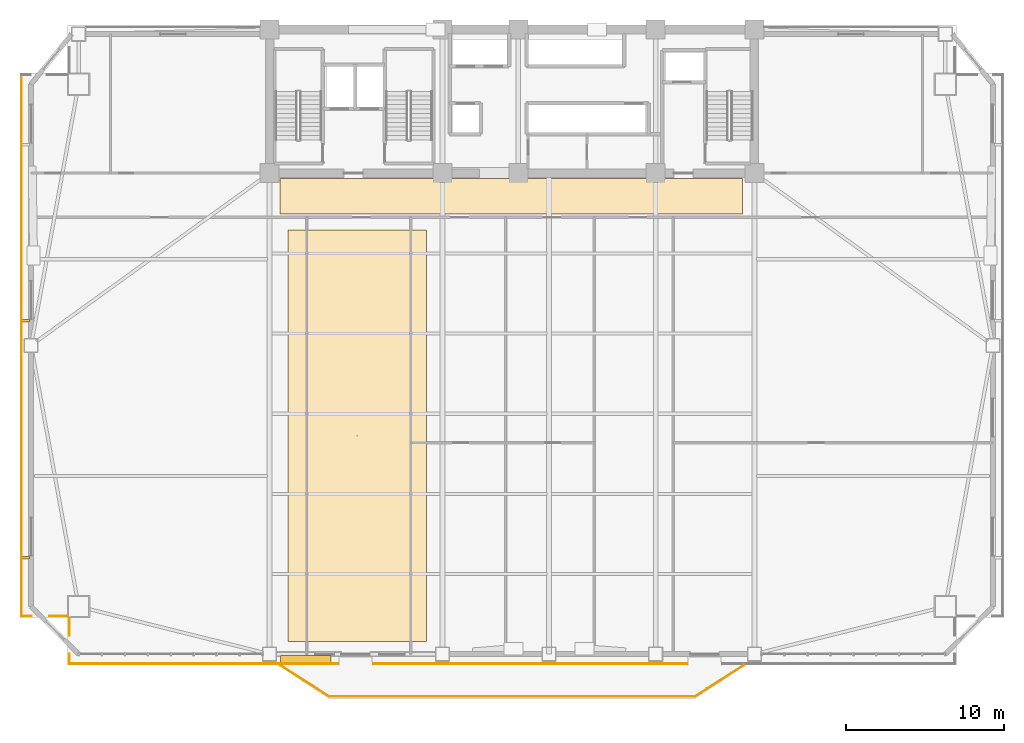
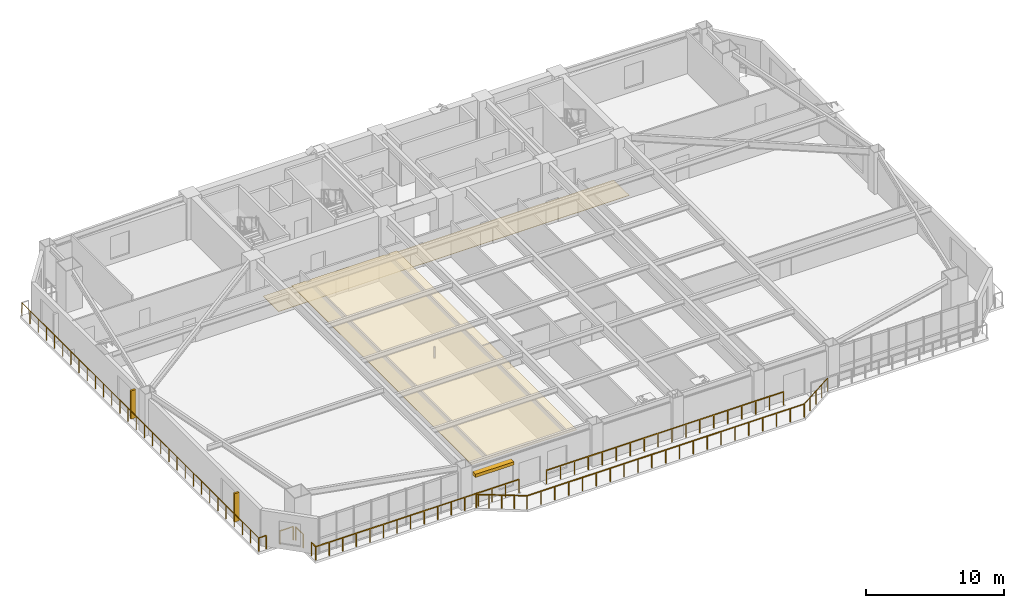
# One storey, part 12 of 15: 10 railings, 3 shading devices, 2 coverings.
"""IFC4 building model written with IfcOpenShell, lengths in metres."""

import ifcopenshell
import ifcopenshell.guid

model = None  # the IFC model being written
_history = None  # IfcOwnerHistory: only IFC2X3 demands one
_inside = {}  # id of a spatial element -> (the spatial element, [elements in it])
_under = {}  # id of a project, library or spatial element -> (it, [spatial elements below it])
_declared = {}  # id of a project -> (the project, [libraries it declares])
_typed = {}  # id of a type object -> (the type object, [elements of that type])
_made_of = {}  # id of a material, layer set ... -> (it, [elements and type objects made of it])


def new_model(schema):
    """Start an empty IFC model of exactly this schema.

    Asked for "IFC4X3", IfcOpenShell would pick the latest addendum, in which some entities
    have other attributes; the version numbers below select the first issue.
    IFC2X3 requires an IfcOwnerHistory on every rooted entity: one is made here for all.
    """
    global model, _history
    if schema == "IFC4X3":
        model = ifcopenshell.file(schema_version=(4, 3, 0, 0))
    else:
        model = ifcopenshell.file(schema=schema)
    _inside.clear()
    _under.clear()
    _declared.clear()
    _typed.clear()
    _made_of.clear()
    _history = None
    if model.schema == "IFC2X3":
        org = make("IfcOrganization", Name="unknown")
        user = make(
            "IfcPersonAndOrganization",
            ThePerson=make("IfcPerson", FamilyName="unknown"),
            TheOrganization=org,
        )
        app = make(
            "IfcApplication",
            ApplicationDeveloper=org,
            Version="unknown",
            ApplicationFullName="unknown",
            ApplicationIdentifier="unknown",
        )
        _history = make(
            "IfcOwnerHistory",
            OwningUser=user,
            OwningApplication=app,
            ChangeAction="ADDED",
            CreationDate=0,
        )
    return model


def make(cls, **values):
    """One entity of the class cls with the attributes given. An attribute that is None is left unset."""
    return model.create_entity(
        cls, **{name: value for name, value in values.items() if value is not None}
    )


def rooted(cls, **values):
    """An entity with a GlobalId (a new one), such as an element, a storey or a relation."""
    return make(cls, GlobalId=ifcopenshell.guid.new(), OwnerHistory=_history, **values)


def si_unit(unit_type, name, prefix=None):
    """IfcSIUnit, for example si_unit("LENGTHUNIT", "METRE", prefix="MILLI")."""
    return make("IfcSIUnit", UnitType=unit_type, Prefix=prefix, Name=name)


def assignment(units):
    """IfcUnitAssignment: the units of a project."""
    return None if units is None else make("IfcUnitAssignment", Units=units)


def point(xyz):
    """IfcCartesianPoint."""
    return None if xyz is None else make("IfcCartesianPoint", Coordinates=xyz)


def direction(xyz):
    """IfcDirection."""
    return None if xyz is None else make("IfcDirection", DirectionRatios=xyz)


def frame(location, z_axis=None, x_axis=None):
    """IfcAxis2Placement3D, a coordinate frame: its origin and axes. An axis left out is left unset."""
    return make(
        "IfcAxis2Placement3D",
        Location=point(location),
        Axis=direction(z_axis),
        RefDirection=direction(x_axis),
    )


def frame_2d(location, x_axis=None):
    """IfcAxis2Placement2D, a coordinate frame in the plane: its origin and x axis."""
    return make(
        "IfcAxis2Placement2D", Location=point(location), RefDirection=direction(x_axis)
    )


def origin():
    """The frame at (0, 0, 0) with its axes left unset."""
    return frame((0.0, 0.0, 0.0))


def origin_2d():
    """The frame at (0, 0) in the plane with its x axis left unset."""
    return frame_2d((0.0, 0.0))


def place(relative_to, where):
    """IfcLocalPlacement: puts the frame where relative to a parent placement (None: the world)."""
    return make(
        "IfcLocalPlacement", PlacementRelTo=relative_to, RelativePlacement=where
    )


def context(
    kind, dimensions, precision=None, world=None, true_north=None, identifier=None
):
    """IfcGeometricRepresentationContext, for example the 3D "Model" context."""
    return make(
        "IfcGeometricRepresentationContext",
        ContextIdentifier=identifier,
        ContextType=kind,
        CoordinateSpaceDimension=dimensions,
        Precision=precision,
        WorldCoordinateSystem=world,
        TrueNorth=true_north,
    )


def subcontext(parent, identifier, kind, view, scale=None):
    """IfcGeometricRepresentationSubContext, for example "Body" below "Model"."""
    return make(
        "IfcGeometricRepresentationSubContext",
        ContextIdentifier=identifier,
        ContextType=kind,
        ParentContext=parent,
        TargetScale=scale,
        TargetView=view,
    )


def project(units=None, contexts=None):
    """IfcProject with its units and contexts."""
    return rooted(
        "IfcProject",
        Name="project",
        RepresentationContexts=contexts,
        UnitsInContext=assignment(units),
    )


def spatial(cls, under=None, at=None, **own):
    """A site, building, storey or space (cls), placed at a placement, below another one or the project."""
    s = rooted(cls, ObjectPlacement=at, **own)
    if under is not None:
        _under.setdefault(under.id(), (under, []))[1].append(s)
    return s


def polyline(points):
    """IfcPolyline through the points."""
    return make("IfcPolyline", Points=[point(p) for p in points])


def profile(cls, at=None, kind="AREA", **sizes):
    """A parametric profile (cls). Its sizes go by their IFC names, for example OverallWidth=200.0."""
    return make(cls, ProfileType=kind, Position=at, **sizes)


def rectangle(**sizes):
    """IfcRectangleProfileDef."""
    return profile("IfcRectangleProfileDef", **sizes)


def outline(outer, holes=None, kind="AREA"):
    """IfcArbitraryClosedProfileDef: a profile drawn as a closed curve; with holes, ...WithVoids."""
    if holes is None:
        return make("IfcArbitraryClosedProfileDef", ProfileType=kind, OuterCurve=outer)
    return make(
        "IfcArbitraryProfileDefWithVoids",
        ProfileType=kind,
        OuterCurve=outer,
        InnerCurves=holes,
    )


def extrude(swept, where, along, depth):
    """IfcExtrudedAreaSolid: the profile swept, set in the frame where, extruded along a direction by depth."""
    return make(
        "IfcExtrudedAreaSolid",
        SweptArea=swept,
        Position=where,
        ExtrudedDirection=direction(along),
        Depth=depth,
    )


def shape(context_of_items, identifier, shape_type, items):
    """IfcShapeRepresentation: the items that make up one representation, for example the "Body"."""
    return make(
        "IfcShapeRepresentation",
        ContextOfItems=context_of_items,
        RepresentationIdentifier=identifier,
        RepresentationType=shape_type,
        Items=items,
    )


def source(mapping_origin, context_of_items, identifier, shape_type, items):
    """IfcRepresentationMap: a shape defined once, which mapped items show again and again."""
    return make(
        "IfcRepresentationMap",
        MappingOrigin=mapping_origin,
        MappedRepresentation=shape(context_of_items, identifier, shape_type, items),
    )


def transform(
    local_origin,
    x_axis=None,
    y_axis=None,
    z_axis=None,
    scale=None,
    scale2=None,
    scale3=None,
    uniform=True,
):
    """IfcCartesianTransformationOperator3D, or its non-uniform kind. x_axis, y_axis, z_axis: its Axis1, 2, 3."""
    if uniform:
        return make(
            "IfcCartesianTransformationOperator3D",
            Axis1=direction(x_axis),
            Axis2=direction(y_axis),
            LocalOrigin=point(local_origin),
            Scale=scale,
            Axis3=direction(z_axis),
        )
    return make(
        "IfcCartesianTransformationOperator3DnonUniform",
        Axis1=direction(x_axis),
        Axis2=direction(y_axis),
        LocalOrigin=point(local_origin),
        Scale=scale,
        Axis3=direction(z_axis),
        Scale2=scale2,
        Scale3=scale3,
    )


def mapped(mapping_source, mapping_target):
    """IfcMappedItem: shows the shape of a source again, moved by a transform."""
    return make(
        "IfcMappedItem", MappingSource=mapping_source, MappingTarget=mapping_target
    )


def material(Name=None, Category=None):
    """IfcMaterial."""
    return make("IfcMaterial", Name=Name, Category=Category)


def layer(
    of_material, thickness, ventilated=None, Name=None, Category=None, Priority=None
):
    """IfcMaterialLayer: one layer of a wall or slab, of a material (None: an air gap)."""
    return make(
        "IfcMaterialLayer",
        Material=of_material,
        LayerThickness=thickness,
        IsVentilated=ventilated,
        Name=Name,
        Category=Category,
        Priority=Priority,
    )


def layer_set(layers, Name=None):
    """IfcMaterialLayerSet."""
    return make("IfcMaterialLayerSet", MaterialLayers=layers, LayerSetName=Name)


def made_of(thing, what):
    """Note that an element or type object is made of a material, layer set ...; save() writes the relation."""
    if what is not None:
        _made_of.setdefault(what.id(), (what, []))[1].append(thing)
    return thing


def type_object(cls, material=None, **own):
    """A type object (cls), such as IfcWallType, which elements share."""
    return made_of(rooted(cls, **own), material)


def element(
    cls,
    number,
    at=None,
    inside=None,
    cuts=None,
    type_object=None,
    material=None,
    context=None,
    identifier="Body",
    shape_type=None,
    held_by="IfcProductDefinitionShape",
    body=None,
    shapes=None,
    **own,
):
    """One element of the class cls, such as IfcWall. Its Tag is "e" and its number.

    at: its placement. inside: the storey or other place that contains it. cuts: it is an
    opening in that element (IfcRelVoidsElement). A single representation is given by context,
    identifier, shape_type and body (its items); several are given by shapes. held_by: the class
    of the entity that holds the representations. save() writes the other relations.
    """
    e = rooted(cls, Tag="e%d" % number, ObjectPlacement=at, **own)
    if body is not None:
        shapes = [shape(context, identifier, shape_type, body)]
    if shapes is not None:
        e.Representation = make(held_by, Representations=shapes)
    if inside is not None:
        _inside.setdefault(inside.id(), (inside, []))[1].append(e)
    if cuts is not None:
        rooted(
            "IfcRelVoidsElement", RelatingBuildingElement=cuts, RelatedOpeningElement=e
        )
    if type_object is not None:
        _typed.setdefault(type_object.id(), (type_object, []))[1].append(e)
    return made_of(e, material)


def aggregate(whole, parts):
    """IfcRelAggregates: a whole, such as a stair, and the parts it consists of."""
    return rooted("IfcRelAggregates", RelatingObject=whole, RelatedObjects=parts)


def save(model, path):
    """Write the relations noted so far, then the file.

    IfcRelAggregates (storeys below a building ...), IfcRelContainedInSpatialStructure (elements
    in a storey), IfcRelDefinesByType, IfcRelAssociatesMaterial and IfcRelDeclares: one each for
    every whole, place, type object, material and project.
    """
    for whole, parts in _under.values():
        aggregate(whole, parts)
    for where, things in _inside.values():
        rooted(
            "IfcRelContainedInSpatialStructure",
            RelatedElements=things,
            RelatingStructure=where,
        )
    for kind, things in _typed.values():
        rooted("IfcRelDefinesByType", RelatedObjects=things, RelatingType=kind)
    for what, things in _made_of.values():
        rooted("IfcRelAssociatesMaterial", RelatedObjects=things, RelatingMaterial=what)
    for by, libraries in _declared.values():
        rooted("IfcRelDeclares", RelatingContext=by, RelatedDefinitions=libraries)
    model.write(path)


model = new_model("IFC4")

# Units and contexts
model_context = context("Model", 3, precision=1e-05, world=origin(), true_north=direction((0.0, 1.0)))
body_context = subcontext(model_context, "Body", "Model", "MODEL_VIEW")
ifc_project = project(units=[si_unit("LENGTHUNIT", "METRE"), si_unit("AREAUNIT", "SQUARE_METRE"), si_unit("VOLUMEUNIT", "CUBIC_METRE"), si_unit("PLANEANGLEUNIT", "RADIAN"), si_unit("MASSUNIT", "GRAM", prefix="KILO")], contexts=[model_context])

# Site, building, storey
site_placement = place(None, origin())
site = spatial("IfcSite", under=ifc_project, at=site_placement, CompositionType="ELEMENT")
building_placement = place(site_placement, origin())
building = spatial("IfcBuilding", under=site, at=building_placement, Name="Giltprow Tower", CompositionType="ELEMENT")
storey_placement = place(building_placement, frame((0.0, 0.0, 115.300048828125)))
storey = spatial("IfcBuildingStorey", under=building, at=storey_placement, Name="L28", CompositionType="ELEMENT", Elevation=115.300048828125)

# Coverings
ifc_material_1 = material(Name="Acoustic mineral fibre", Category="gypsum")
ifc_layer_1 = layer(ifc_material_1, 0.030029296875, Name="Acoustic mineral fibre")
ifc_layer_set_1 = layer_set([ifc_layer_1], Name="Acoustic mineral fibre")
covering_type_1 = type_object("IfcCoveringType", Name="COV-CLG-ACOUSTIC", PredefinedType="CEILING", material=ifc_layer_set_1)
covering_1_placement = place(storey_placement, frame((0.0, 0.0, 2.719970703125)))
element("IfcCovering", 1, at=covering_1_placement, inside=storey, type_object=covering_type_1, Name="L28 Office Acoustic Ceiling", PredefinedType="CEILING", context=body_context, shape_type="SweptSolid", body=[
    extrude(outline(polyline([(21.0, 7.7900390625), (29.800048828125, 7.7900390625), (29.800048828125, 33.85009765625), (21.0, 33.85009765625), (21.0, 7.7900390625)])), origin(), (0.0, 0.0, 1.0), 0.030029296875),
])
ifc_material_2 = material(Name="Honed granite", Category="masonry")
ifc_layer_2 = layer(ifc_material_2, 0.030029296875, Name="Honed granite")
ifc_layer_set_2 = layer_set([ifc_layer_2], Name="Honed granite")
covering_type_2 = type_object("IfcCoveringType", Name="COV-FLR-STONE", PredefinedType="FLOORING", material=ifc_layer_set_2)
covering_2_placement = place(storey_placement, origin())
element("IfcCovering", 2, at=covering_2_placement, inside=storey, type_object=covering_type_2, Name="L28 Office Corridor Stone Flooring", PredefinedType="FLOORING", context=body_context, shape_type="SweptSolid", body=[
    extrude(outline(polyline([(20.5, 34.85009765625), (49.800048828125, 34.85009765625), (49.800048828125, 37.10009765625), (20.5, 37.10009765625), (20.5, 34.85009765625)])), origin(), (0.0, 0.0, 1.0), 0.030029296875),
])

# Railings
ifc_material_3 = material(Name="Anodized bronze", Category="metal")
railing_type = type_object("IfcRailingType", Name="RAIL-BALC-GUARD-1200", PredefinedType="BALUSTRADE", material=ifc_material_3)
railing_1_placement = place(storey_placement, frame((20.52001953125, 6.2900390625, 0.0)))
element("IfcRailing", 3, at=railing_1_placement, inside=storey, type_object=railing_type, Name="L28 Waterfront Balcony Balustrade Seg 1", PredefinedType="BALUSTRADE", context=body_context, shape_type="SweptSolid", body=[
    extrude(rectangle(XDim=0.048095703125, YDim=0.048095703125, at=origin_2d()), frame((0.0, 0.0, 1.17578125), z_axis=(0.84277487735, -0.538266203757, 0.0), x_axis=(0.538266203757, 0.84277487735, 0.0)), (0.0, 0.0, 1.0), 3.678466796875),
    extrude(rectangle(XDim=0.0419921875, YDim=0.0419921875, at=origin_2d()), origin(), (0.0, 0.0, 1.0), 1.15185546875),
    extrude(rectangle(XDim=0.0419921875, YDim=0.0419921875, at=origin_2d()), frame((0.77490234375, -0.4951171875, 0.0)), (0.0, 0.0, 1.0), 1.15185546875),
    extrude(rectangle(XDim=0.0419921875, YDim=0.0419921875, at=origin_2d()), frame((1.550048828125, -0.989990234375, 0.0)), (0.0, 0.0, 1.0), 1.15185546875),
    extrude(rectangle(XDim=0.0419921875, YDim=0.0419921875, at=origin_2d()), frame((2.3251953125, -1.48486328125, 0.0)), (0.0, 0.0, 1.0), 1.15185546875),
    extrude(rectangle(XDim=0.0419921875, YDim=0.0419921875, at=origin_2d()), frame((3.10009765625, -1.97998046875, 0.0)), (0.0, 0.0, 1.0), 1.15185546875),
])
railing_2_placement = place(storey_placement, frame((23.6201171875, 4.31005859375, 0.0)))
element("IfcRailing", 4, at=railing_2_placement, inside=storey, type_object=railing_type, Name="L28 Waterfront Balcony Balustrade Seg 2", PredefinedType="BALUSTRADE", context=body_context, shape_type="SweptSolid", body=[
    extrude(rectangle(XDim=0.048095703125, YDim=0.048095703125, at=origin_2d()), frame((0.0, 0.0, 1.17578125), z_axis=(1.0, 0.0, 0.0), x_axis=(0.0, 1.0, 0.0)), (0.0, 0.0, 1.0), 23.159912109375),
    extrude(rectangle(XDim=0.0419921875, YDim=0.0419921875, at=origin_2d()), origin(), (0.0, 0.0, 1.0), 1.15185546875),
    extrude(rectangle(XDim=0.0419921875, YDim=0.0419921875, at=origin_2d()), frame((1.157958984375, 0.0, 0.0)), (0.0, 0.0, 1.0), 1.15185546875),
    extrude(rectangle(XDim=0.0419921875, YDim=0.0419921875, at=origin_2d()), frame((2.31591796875, 0.0, 0.0)), (0.0, 0.0, 1.0), 1.15185546875),
    extrude(rectangle(XDim=0.0419921875, YDim=0.0419921875, at=origin_2d()), frame((3.473876953125, 0.0, 0.0)), (0.0, 0.0, 1.0), 1.15185546875),
    extrude(rectangle(XDim=0.0419921875, YDim=0.0419921875, at=origin_2d()), frame((4.632080078125, 0.0, 0.0)), (0.0, 0.0, 1.0), 1.15185546875),
    extrude(rectangle(XDim=0.0419921875, YDim=0.0419921875, at=origin_2d()), frame((5.7900390625, 0.0, 0.0)), (0.0, 0.0, 1.0), 1.15185546875),
    extrude(rectangle(XDim=0.0419921875, YDim=0.0419921875, at=origin_2d()), frame((6.947998046875, 0.0, 0.0)), (0.0, 0.0, 1.0), 1.15185546875),
    extrude(rectangle(XDim=0.0419921875, YDim=0.0419921875, at=origin_2d()), frame((8.10595703125, 0.0, 0.0)), (0.0, 0.0, 1.0), 1.15185546875),
    extrude(rectangle(XDim=0.0419921875, YDim=0.0419921875, at=origin_2d()), frame((9.263916015625, 0.0, 0.0)), (0.0, 0.0, 1.0), 1.15185546875),
    extrude(rectangle(XDim=0.0419921875, YDim=0.0419921875, at=origin_2d()), frame((10.421875, 0.0, 0.0)), (0.0, 0.0, 1.0), 1.15185546875),
    extrude(rectangle(XDim=0.0419921875, YDim=0.0419921875, at=origin_2d()), frame((11.580078125, 0.0, 0.0)), (0.0, 0.0, 1.0), 1.15185546875),
    extrude(rectangle(XDim=0.0419921875, YDim=0.0419921875, at=origin_2d()), frame((12.738037109375, 0.0, 0.0)), (0.0, 0.0, 1.0), 1.15185546875),
    extrude(rectangle(XDim=0.0419921875, YDim=0.0419921875, at=origin_2d()), frame((13.89599609375, 0.0, 0.0)), (0.0, 0.0, 1.0), 1.15185546875),
    extrude(rectangle(XDim=0.0419921875, YDim=0.0419921875, at=origin_2d()), frame((15.053955078125, 0.0, 0.0)), (0.0, 0.0, 1.0), 1.15185546875),
    extrude(rectangle(XDim=0.0419921875, YDim=0.0419921875, at=origin_2d()), frame((16.2119140625, 0.0, 0.0)), (0.0, 0.0, 1.0), 1.15185546875),
    extrude(rectangle(XDim=0.0419921875, YDim=0.0419921875, at=origin_2d()), frame((17.369873046875, 0.0, 0.0)), (0.0, 0.0, 1.0), 1.15185546875),
    extrude(rectangle(XDim=0.0419921875, YDim=0.0419921875, at=origin_2d()), frame((18.52783203125, 0.0, 0.0)), (0.0, 0.0, 1.0), 1.15185546875),
    extrude(rectangle(XDim=0.0419921875, YDim=0.0419921875, at=origin_2d()), frame((19.68603515625, 0.0, 0.0)), (0.0, 0.0, 1.0), 1.15185546875),
    extrude(rectangle(XDim=0.0419921875, YDim=0.0419921875, at=origin_2d()), frame((20.843994140625, 0.0, 0.0)), (0.0, 0.0, 1.0), 1.15185546875),
    extrude(rectangle(XDim=0.0419921875, YDim=0.0419921875, at=origin_2d()), frame((22.001953125, 0.0, 0.0)), (0.0, 0.0, 1.0), 1.15185546875),
    extrude(rectangle(XDim=0.0419921875, YDim=0.0419921875, at=origin_2d()), frame((23.159912109375, 0.0, 0.0)), (0.0, 0.0, 1.0), 1.15185546875),
])
railing_3_placement = place(storey_placement, frame((46.780029296875, 4.31005859375, 0.0)))
element("IfcRailing", 5, at=railing_3_placement, inside=storey, type_object=railing_type, Name="L28 Waterfront Balcony Balustrade Seg 3", PredefinedType="BALUSTRADE", context=body_context, shape_type="SweptSolid", body=[
    extrude(rectangle(XDim=0.048095703125, YDim=0.048095703125, at=origin_2d()), frame((0.0, 0.0, 1.17578125), z_axis=(0.842755646126, 0.538296313309, 0.0), x_axis=(-0.538296313309, 0.842755646126, 0.0)), (0.0, 0.0, 1.0), 3.67822265625),
    extrude(rectangle(XDim=0.0419921875, YDim=0.0419921875, at=origin_2d()), origin(), (0.0, 0.0, 1.0), 1.15185546875),
    extrude(rectangle(XDim=0.0419921875, YDim=0.0419921875, at=origin_2d()), frame((0.77490234375, 0.4951171875, 0.0)), (0.0, 0.0, 1.0), 1.15185546875),
    extrude(rectangle(XDim=0.0419921875, YDim=0.0419921875, at=origin_2d()), frame((1.5498046875, 0.989990234375, 0.0)), (0.0, 0.0, 1.0), 1.15185546875),
    extrude(rectangle(XDim=0.0419921875, YDim=0.0419921875, at=origin_2d()), frame((2.324951171875, 1.48486328125, 0.0)), (0.0, 0.0, 1.0), 1.15185546875),
    extrude(rectangle(XDim=0.0419921875, YDim=0.0419921875, at=origin_2d()), frame((3.099853515625, 1.97998046875, 0.0)), (0.0, 0.0, 1.0), 1.15185546875),
])
railing_4_placement = place(storey_placement, frame((7.160888671875, 6.389892578125, 0.0)))
element("IfcRailing", 6, at=railing_4_placement, inside=storey, type_object=railing_type, Name="L28 Corner Apron Edge Balustrade 1", PredefinedType="BALUSTRADE", context=body_context, shape_type="SweptSolid", body=[
    extrude(rectangle(XDim=0.048095703125, YDim=0.048095703125, at=origin_2d()), frame((0.0, 0.0, 1.17578125), z_axis=(0.0, 1.0, 0.0), x_axis=(-1.0, 0.0, 0.0)), (0.0, 0.0, 1.0), 0.6201171875),
    extrude(rectangle(XDim=0.0419921875, YDim=0.0419921875, at=origin_2d()), origin(), (0.0, 0.0, 1.0), 1.15185546875),
    extrude(rectangle(XDim=0.0419921875, YDim=0.0419921875, at=origin_2d()), frame((0.0, 0.6201171875, 0.0)), (0.0, 0.0, 1.0), 1.15185546875),
])
railing_5_placement = place(storey_placement, frame((7.160888671875, 8.169921875, 0.0)))
element("IfcRailing", 7, at=railing_5_placement, inside=storey, type_object=railing_type, Name="L28 Corner Apron Edge Balustrade 2", PredefinedType="BALUSTRADE", context=body_context, shape_type="SweptSolid", body=[
    extrude(rectangle(XDim=0.048095703125, YDim=0.048095703125, at=origin_2d()), frame((0.0, 0.0, 1.17578125), z_axis=(0.0, 1.0, 0.0), x_axis=(-1.0, 0.0, 0.0)), (0.0, 0.0, 1.0), 1.10205078125),
    extrude(rectangle(XDim=0.0419921875, YDim=0.0419921875, at=origin_2d()), origin(), (0.0, 0.0, 1.0), 1.15185546875),
    extrude(rectangle(XDim=0.0419921875, YDim=0.0419921875, at=origin_2d()), frame((0.0, 1.10205078125, 0.0)), (0.0, 0.0, 1.0), 1.15185546875),
])
railing_6_placement = place(storey_placement, frame((7.02587890625, 9.406982421875, 0.0)))
element("IfcRailing", 8, at=railing_6_placement, inside=storey, type_object=railing_type, Name="L28 Corner Apron Edge Balustrade 3", PredefinedType="BALUSTRADE", context=body_context, shape_type="SweptSolid", body=[
    extrude(rectangle(XDim=0.048095703125, YDim=0.048095703125, at=origin_2d()), frame((0.0, 0.0, 1.17578125), z_axis=(-1.0, 0.0, 0.0), x_axis=(0.0, -1.0, 0.0)), (0.0, 0.0, 1.0), 1.101806640625),
    extrude(rectangle(XDim=0.0419921875, YDim=0.0419921875, at=origin_2d()), origin(), (0.0, 0.0, 1.0), 1.15185546875),
    extrude(rectangle(XDim=0.0419921875, YDim=0.0419921875, at=origin_2d()), frame((-1.101806640625, 0.0, 0.0)), (0.0, 0.0, 1.0), 1.15185546875),
])
railing_7_placement = place(storey_placement, frame((4.763916015625, 9.406982421875, 0.0)))
element("IfcRailing", 9, at=railing_7_placement, inside=storey, type_object=railing_type, Name="L28 Corner Apron Edge Balustrade 4", PredefinedType="BALUSTRADE", context=body_context, shape_type="SweptSolid", body=[
    extrude(rectangle(XDim=0.048095703125, YDim=0.048095703125, at=origin_2d()), frame((0.0, 0.0, 1.17578125), z_axis=(-1.0, 0.0, 0.0), x_axis=(0.0, -1.0, 0.0)), (0.0, 0.0, 1.0), 0.619873046875),
    extrude(rectangle(XDim=0.0419921875, YDim=0.0419921875, at=origin_2d()), origin(), (0.0, 0.0, 1.0), 1.15185546875),
    extrude(rectangle(XDim=0.0419921875, YDim=0.0419921875, at=origin_2d()), frame((-0.619873046875, 0.0, 0.0)), (0.0, 0.0, 1.0), 1.15185546875),
])
railing_8_placement = place(storey_placement, frame((4.14404296875, 9.406982421875, 0.0)))
element("IfcRailing", 10, at=railing_8_placement, inside=storey, type_object=railing_type, Name="L28 Corner Apron Edge Balustrade 5", PredefinedType="BALUSTRADE", context=body_context, shape_type="SweptSolid", body=[
    extrude(rectangle(XDim=0.048095703125, YDim=0.048095703125, at=origin_2d()), frame((0.0, 0.0, 1.17578125), z_axis=(0.0, 1.0, 0.0), x_axis=(-1.0, 0.0, 0.0)), (0.0, 0.0, 1.0), 34.276123046875),
    extrude(rectangle(XDim=0.0419921875, YDim=0.0419921875, at=origin_2d()), origin(), (0.0, 0.0, 1.0), 1.15185546875),
    extrude(rectangle(XDim=0.0419921875, YDim=0.0419921875, at=origin_2d()), frame((0.0, 1.181884765625, 0.0)), (0.0, 0.0, 1.0), 1.15185546875),
    extrude(rectangle(XDim=0.0419921875, YDim=0.0419921875, at=origin_2d()), frame((0.0, 2.36376953125, 0.0)), (0.0, 0.0, 1.0), 1.15185546875),
    extrude(rectangle(XDim=0.0419921875, YDim=0.0419921875, at=origin_2d()), frame((0.0, 3.5458984375, 0.0)), (0.0, 0.0, 1.0), 1.15185546875),
    extrude(rectangle(XDim=0.0419921875, YDim=0.0419921875, at=origin_2d()), frame((0.0, 4.727783203125, 0.0)), (0.0, 0.0, 1.0), 1.15185546875),
    extrude(rectangle(XDim=0.0419921875, YDim=0.0419921875, at=origin_2d()), frame((0.0, 5.90966796875, 0.0)), (0.0, 0.0, 1.0), 1.15185546875),
    extrude(rectangle(XDim=0.0419921875, YDim=0.0419921875, at=origin_2d()), frame((0.0, 7.091552734375, 0.0)), (0.0, 0.0, 1.0), 1.15185546875),
    extrude(rectangle(XDim=0.0419921875, YDim=0.0419921875, at=origin_2d()), frame((0.0, 8.2734375, 0.0)), (0.0, 0.0, 1.0), 1.15185546875),
    extrude(rectangle(XDim=0.0419921875, YDim=0.0419921875, at=origin_2d()), frame((0.0, 9.45556640625, 0.0)), (0.0, 0.0, 1.0), 1.15185546875),
    extrude(rectangle(XDim=0.0419921875, YDim=0.0419921875, at=origin_2d()), frame((0.0, 10.637451171875, 0.0)), (0.0, 0.0, 1.0), 1.15185546875),
    extrude(rectangle(XDim=0.0419921875, YDim=0.0419921875, at=origin_2d()), frame((0.0, 11.8193359375, 0.0)), (0.0, 0.0, 1.0), 1.15185546875),
    extrude(rectangle(XDim=0.0419921875, YDim=0.0419921875, at=origin_2d()), frame((0.0, 13.001220703125, 0.0)), (0.0, 0.0, 1.0), 1.15185546875),
    extrude(rectangle(XDim=0.0419921875, YDim=0.0419921875, at=origin_2d()), frame((0.0, 14.18310546875, 0.0)), (0.0, 0.0, 1.0), 1.15185546875),
    extrude(rectangle(XDim=0.0419921875, YDim=0.0419921875, at=origin_2d()), frame((0.0, 15.365234375, 0.0)), (0.0, 0.0, 1.0), 1.15185546875),
    extrude(rectangle(XDim=0.0419921875, YDim=0.0419921875, at=origin_2d()), frame((0.0, 16.547119140625, 0.0)), (0.0, 0.0, 1.0), 1.15185546875),
    extrude(rectangle(XDim=0.0419921875, YDim=0.0419921875, at=origin_2d()), frame((0.0, 17.72900390625, 0.0)), (0.0, 0.0, 1.0), 1.15185546875),
    extrude(rectangle(XDim=0.0419921875, YDim=0.0419921875, at=origin_2d()), frame((0.0, 18.910888671875, 0.0)), (0.0, 0.0, 1.0), 1.15185546875),
    extrude(rectangle(XDim=0.0419921875, YDim=0.0419921875, at=origin_2d()), frame((0.0, 20.093017578125, 0.0)), (0.0, 0.0, 1.0), 1.15185546875),
    extrude(rectangle(XDim=0.0419921875, YDim=0.0419921875, at=origin_2d()), frame((0.0, 21.27490234375, 0.0)), (0.0, 0.0, 1.0), 1.15185546875),
    extrude(rectangle(XDim=0.0419921875, YDim=0.0419921875, at=origin_2d()), frame((0.0, 22.456787109375, 0.0)), (0.0, 0.0, 1.0), 1.15185546875),
    extrude(rectangle(XDim=0.0419921875, YDim=0.0419921875, at=origin_2d()), frame((0.0, 23.638671875, 0.0)), (0.0, 0.0, 1.0), 1.15185546875),
    extrude(rectangle(XDim=0.0419921875, YDim=0.0419921875, at=origin_2d()), frame((0.0, 24.820556640625, 0.0)), (0.0, 0.0, 1.0), 1.15185546875),
    extrude(rectangle(XDim=0.0419921875, YDim=0.0419921875, at=origin_2d()), frame((0.0, 26.002685546875, 0.0)), (0.0, 0.0, 1.0), 1.15185546875),
    extrude(rectangle(XDim=0.0419921875, YDim=0.0419921875, at=origin_2d()), frame((0.0, 27.1845703125, 0.0)), (0.0, 0.0, 1.0), 1.15185546875),
    extrude(rectangle(XDim=0.0419921875, YDim=0.0419921875, at=origin_2d()), frame((0.0, 28.366455078125, 0.0)), (0.0, 0.0, 1.0), 1.15185546875),
    extrude(rectangle(XDim=0.0419921875, YDim=0.0419921875, at=origin_2d()), frame((0.0, 29.54833984375, 0.0)), (0.0, 0.0, 1.0), 1.15185546875),
    extrude(rectangle(XDim=0.0419921875, YDim=0.0419921875, at=origin_2d()), frame((0.0, 30.730224609375, 0.0)), (0.0, 0.0, 1.0), 1.15185546875),
    extrude(rectangle(XDim=0.0419921875, YDim=0.0419921875, at=origin_2d()), frame((0.0, 31.912353515625, 0.0)), (0.0, 0.0, 1.0), 1.15185546875),
    extrude(rectangle(XDim=0.0419921875, YDim=0.0419921875, at=origin_2d()), frame((0.0, 33.09423828125, 0.0)), (0.0, 0.0, 1.0), 1.15185546875),
    extrude(rectangle(XDim=0.0419921875, YDim=0.0419921875, at=origin_2d()), frame((0.0, 34.276123046875, 0.0)), (0.0, 0.0, 1.0), 1.15185546875),
])
railing_9_placement = place(storey_placement, frame((46.25, 6.389892578125, 0.0)))
element("IfcRailing", 11, at=railing_9_placement, inside=storey, type_object=railing_type, Name="L28 Corner Apron Edge Balustrade 20", PredefinedType="BALUSTRADE", context=body_context, shape_type="SweptSolid", body=[
    extrude(rectangle(XDim=0.048095703125, YDim=0.048095703125, at=origin_2d()), frame((0.0, 0.0, 1.17578125), z_axis=(-1.0, 0.0, 0.0), x_axis=(0.0, -1.0, 0.0)), (0.0, 0.0, 1.0), 19.800048828125),
    extrude(rectangle(XDim=0.0419921875, YDim=0.0419921875, at=origin_2d()), origin(), (0.0, 0.0, 1.0), 1.15185546875),
    extrude(rectangle(XDim=0.0419921875, YDim=0.0419921875, at=origin_2d()), frame((-1.164794921875, 0.0, 0.0)), (0.0, 0.0, 1.0), 1.15185546875),
    extrude(rectangle(XDim=0.0419921875, YDim=0.0419921875, at=origin_2d()), frame((-2.329345703125, 0.0, 0.0)), (0.0, 0.0, 1.0), 1.15185546875),
    extrude(rectangle(XDim=0.0419921875, YDim=0.0419921875, at=origin_2d()), frame((-3.494140625, 0.0, 0.0)), (0.0, 0.0, 1.0), 1.15185546875),
    extrude(rectangle(XDim=0.0419921875, YDim=0.0419921875, at=origin_2d()), frame((-4.658935546875, 0.0, 0.0)), (0.0, 0.0, 1.0), 1.15185546875),
    extrude(rectangle(XDim=0.0419921875, YDim=0.0419921875, at=origin_2d()), frame((-5.823486328125, 0.0, 0.0)), (0.0, 0.0, 1.0), 1.15185546875),
    extrude(rectangle(XDim=0.0419921875, YDim=0.0419921875, at=origin_2d()), frame((-6.98828125, 0.0, 0.0)), (0.0, 0.0, 1.0), 1.15185546875),
    extrude(rectangle(XDim=0.0419921875, YDim=0.0419921875, at=origin_2d()), frame((-8.153076171875, 0.0, 0.0)), (0.0, 0.0, 1.0), 1.15185546875),
    extrude(rectangle(XDim=0.0419921875, YDim=0.0419921875, at=origin_2d()), frame((-9.317626953125, 0.0, 0.0)), (0.0, 0.0, 1.0), 1.15185546875),
    extrude(rectangle(XDim=0.0419921875, YDim=0.0419921875, at=origin_2d()), frame((-10.482421875, 0.0, 0.0)), (0.0, 0.0, 1.0), 1.15185546875),
    extrude(rectangle(XDim=0.0419921875, YDim=0.0419921875, at=origin_2d()), frame((-11.64697265625, 0.0, 0.0)), (0.0, 0.0, 1.0), 1.15185546875),
    extrude(rectangle(XDim=0.0419921875, YDim=0.0419921875, at=origin_2d()), frame((-12.811767578125, 0.0, 0.0)), (0.0, 0.0, 1.0), 1.15185546875),
    extrude(rectangle(XDim=0.0419921875, YDim=0.0419921875, at=origin_2d()), frame((-13.9765625, 0.0, 0.0)), (0.0, 0.0, 1.0), 1.15185546875),
    extrude(rectangle(XDim=0.0419921875, YDim=0.0419921875, at=origin_2d()), frame((-15.14111328125, 0.0, 0.0)), (0.0, 0.0, 1.0), 1.15185546875),
    extrude(rectangle(XDim=0.0419921875, YDim=0.0419921875, at=origin_2d()), frame((-16.305908203125, 0.0, 0.0)), (0.0, 0.0, 1.0), 1.15185546875),
    extrude(rectangle(XDim=0.0419921875, YDim=0.0419921875, at=origin_2d()), frame((-17.470703125, 0.0, 0.0)), (0.0, 0.0, 1.0), 1.15185546875),
    extrude(rectangle(XDim=0.0419921875, YDim=0.0419921875, at=origin_2d()), frame((-18.63525390625, 0.0, 0.0)), (0.0, 0.0, 1.0), 1.15185546875),
    extrude(rectangle(XDim=0.0419921875, YDim=0.0419921875, at=origin_2d()), frame((-19.800048828125, 0.0, 0.0)), (0.0, 0.0, 1.0), 1.15185546875),
])
railing_10_placement = place(storey_placement, frame((24.14990234375, 6.389892578125, 0.0)))
element("IfcRailing", 12, at=railing_10_placement, inside=storey, type_object=railing_type, Name="L28 Corner Apron Edge Balustrade 21", PredefinedType="BALUSTRADE", context=body_context, shape_type="SweptSolid", body=[
    extrude(rectangle(XDim=0.048095703125, YDim=0.048095703125, at=origin_2d()), frame((0.0, 0.0, 1.17578125), z_axis=(-1.0, 0.0, 0.0), x_axis=(0.0, -1.0, 0.0)), (0.0, 0.0, 1.0), 16.989013671875),
    extrude(rectangle(XDim=0.0419921875, YDim=0.0419921875, at=origin_2d()), origin(), (0.0, 0.0, 1.0), 1.15185546875),
    extrude(rectangle(XDim=0.0419921875, YDim=0.0419921875, at=origin_2d()), frame((-1.132568359375, 0.0, 0.0)), (0.0, 0.0, 1.0), 1.15185546875),
    extrude(rectangle(XDim=0.0419921875, YDim=0.0419921875, at=origin_2d()), frame((-2.26513671875, 0.0, 0.0)), (0.0, 0.0, 1.0), 1.15185546875),
    extrude(rectangle(XDim=0.0419921875, YDim=0.0419921875, at=origin_2d()), frame((-3.397705078125, 0.0, 0.0)), (0.0, 0.0, 1.0), 1.15185546875),
    extrude(rectangle(XDim=0.0419921875, YDim=0.0419921875, at=origin_2d()), frame((-4.530517578125, 0.0, 0.0)), (0.0, 0.0, 1.0), 1.15185546875),
    extrude(rectangle(XDim=0.0419921875, YDim=0.0419921875, at=origin_2d()), frame((-5.6630859375, 0.0, 0.0)), (0.0, 0.0, 1.0), 1.15185546875),
    extrude(rectangle(XDim=0.0419921875, YDim=0.0419921875, at=origin_2d()), frame((-6.795654296875, 0.0, 0.0)), (0.0, 0.0, 1.0), 1.15185546875),
    extrude(rectangle(XDim=0.0419921875, YDim=0.0419921875, at=origin_2d()), frame((-7.92822265625, 0.0, 0.0)), (0.0, 0.0, 1.0), 1.15185546875),
    extrude(rectangle(XDim=0.0419921875, YDim=0.0419921875, at=origin_2d()), frame((-9.060791015625, 0.0, 0.0)), (0.0, 0.0, 1.0), 1.15185546875),
    extrude(rectangle(XDim=0.0419921875, YDim=0.0419921875, at=origin_2d()), frame((-10.193359375, 0.0, 0.0)), (0.0, 0.0, 1.0), 1.15185546875),
    extrude(rectangle(XDim=0.0419921875, YDim=0.0419921875, at=origin_2d()), frame((-11.325927734375, 0.0, 0.0)), (0.0, 0.0, 1.0), 1.15185546875),
    extrude(rectangle(XDim=0.0419921875, YDim=0.0419921875, at=origin_2d()), frame((-12.45849609375, 0.0, 0.0)), (0.0, 0.0, 1.0), 1.15185546875),
    extrude(rectangle(XDim=0.0419921875, YDim=0.0419921875, at=origin_2d()), frame((-13.59130859375, 0.0, 0.0)), (0.0, 0.0, 1.0), 1.15185546875),
    extrude(rectangle(XDim=0.0419921875, YDim=0.0419921875, at=origin_2d()), frame((-14.723876953125, 0.0, 0.0)), (0.0, 0.0, 1.0), 1.15185546875),
    extrude(rectangle(XDim=0.0419921875, YDim=0.0419921875, at=origin_2d()), frame((-15.8564453125, 0.0, 0.0)), (0.0, 0.0, 1.0), 1.15185546875),
    extrude(rectangle(XDim=0.0419921875, YDim=0.0419921875, at=origin_2d()), frame((-16.989013671875, 0.0, 0.0)), (0.0, 0.0, 1.0), 1.15185546875),
])

# Shading devices
shading_device_type_1 = type_object("IfcShadingDeviceType", Name="SHD-FIN-420", PredefinedType="USERDEFINED", material=ifc_material_3)
shared_shape_1 = source(origin(), body_context, "Body", "SweptSolid", [
    extrude(rectangle(XDim=0.419921875, YDim=0.159912109375, at=origin_2d()), origin(), (0.0, 0.0, 1.0), 2.5),
])
for number, where, z_axis, x_axis, name in (
    (13, (4.424072265625, 13.110107421875, 0.349853515625), (0.0, 0.0, 1.0), (1.0, 0.0, 0.0), "L28 W Bronze Vertical Fin 1-1"),
    (14, (4.424072265625, 28.094970703125, 0.349853515625), (0.0, 0.0, 1.0), (1.0, 0.0, 0.0), "L28 W Bronze Vertical Fin 2-1"),
):
    element("IfcShadingDevice", number, at=place(storey_placement, frame(where, z_axis=z_axis, x_axis=x_axis)), inside=storey, type_object=shading_device_type_1, Name=name, ObjectType="FIN", PredefinedType="USERDEFINED", context=body_context, shape_type="MappedRepresentation", body=[
        mapped(shared_shape_1, transform((0.0, 0.0, 0.0), x_axis=(1.0, 0.0, 0.0), y_axis=(0.0, 1.0, 0.0), z_axis=(0.0, 0.0, 1.0), scale=1.0)),
    ])
shading_device_type_2 = type_object("IfcShadingDeviceType", Name="SHD-LOUVRE-320", PredefinedType="JALOUSIE", material=ifc_material_3)
shared_shape_2 = source(origin(), body_context, "Body", "SweptSolid", [
    extrude(rectangle(XDim=3.199951171875, YDim=0.449951171875, at=origin_2d()), origin(), (0.0, 0.0, 1.0), 0.280029296875),
])
shading_device_placement = place(storey_placement, frame((22.14990234375, 6.669921875, 2.56005859375), z_axis=(0.0, 0.0, 1.0), x_axis=(1.0, 0.0, 0.0)))
element("IfcShadingDevice", 15, at=shading_device_placement, inside=storey, type_object=shading_device_type_2, Name="L28 Bronze Sunshade Louvre S-2", PredefinedType="JALOUSIE", context=body_context, shape_type="MappedRepresentation", body=[
    mapped(shared_shape_2, transform((0.0, 0.0, 0.0), x_axis=(1.0, 0.0, 0.0), y_axis=(0.0, 1.0, 0.0), z_axis=(0.0, 0.0, 1.0), scale=1.0)),
])

save(model, "model.ifc")
